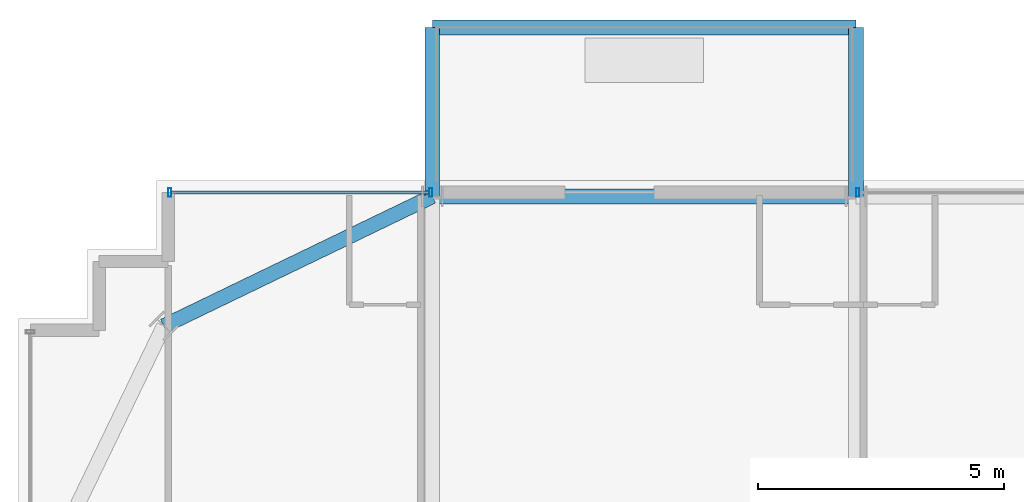
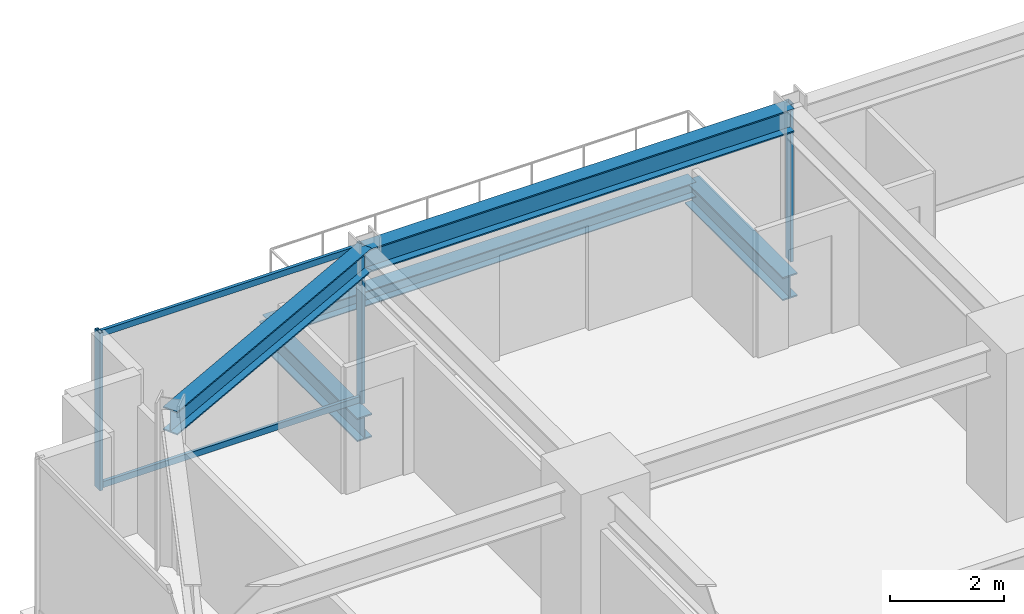
# One storey, part 22 of 35: 5 beams, 5 members, 2 elements without a shape of their own.
"""IFC4 building model written with IfcOpenShell, lengths in metres."""

from ifc_helpers import new_model, si_unit, direction, frame, origin, origin_2d, place, context, subcontext, project, spatial, hollow_rectangle, i_section, extrude, source, transform, mapped, material, material_profile, profile_set, type_object, element, aggregate, save


model = new_model("IFC4")

# Units and contexts
model_context = context("Model", 3, precision=1e-05, world=origin(), true_north=direction((0.0, 1.0)))
body_context = subcontext(model_context, "Body", "Model", "MODEL_VIEW")
ifc_project = project(units=[si_unit("LENGTHUNIT", "METRE"), si_unit("AREAUNIT", "SQUARE_METRE"), si_unit("VOLUMEUNIT", "CUBIC_METRE"), si_unit("PLANEANGLEUNIT", "RADIAN"), si_unit("MASSUNIT", "GRAM", prefix="KILO")], contexts=[model_context])

# Site, building, storey
site_placement = place(None, origin())
site = spatial("IfcSite", under=ifc_project, at=site_placement, CompositionType="ELEMENT")
building_placement = place(site_placement, origin())
building = spatial("IfcBuilding", under=site, at=building_placement, Name="Nahalor Promenade Grand Hotel", CompositionType="ELEMENT")
storey_placement = place(building_placement, frame((0.0, 0.0, 39.699951171875)))
storey = spatial("IfcBuildingStorey", under=building, at=storey_placement, Name="L08", CompositionType="ELEMENT", Elevation=39.699951171875)

# Beams
ifc_material_1 = material(Name="Steel S355JR", Category="steel")
ifc_material_profile_1 = material_profile(ifc_material_1, i_section(OverallWidth=0.3, OverallDepth=0.32, WebThickness=0.0115, FlangeThickness=0.0205, at=origin_2d()), Name="HEB 320")
ifc_profile_set_1 = profile_set([ifc_material_profile_1], Name="Steel S355JR")
beam_type_1 = type_object("IfcBeamType", Name="Beam-BalcEdge-HEB320", PredefinedType="SPANDREL", material=ifc_profile_set_1)
shared_shape_1 = source(origin(), body_context, "Body", "SweptSolid", [
    extrude(i_section(OverallWidth=0.3, OverallDepth=0.32, WebThickness=0.0115, FlangeThickness=0.0205, at=origin_2d()), origin(), (0.0, 0.0, 1.0), 8.60009765625),
])
beam_1_placement = place(storey_placement, frame((-17.0, 28.510009765625, -0.43994140625), z_axis=(1.0, 0.0, 0.0), x_axis=(0.0, 1.0, 0.0)))
element("IfcBeam", 1, at=beam_1_placement, inside=storey, type_object=beam_type_1, Name="BM-L08-BC-01-F", PredefinedType="SPANDREL", context=body_context, shape_type="MappedRepresentation", body=[
    mapped(shared_shape_1, transform((0.0, 0.0, 0.0), scale=1.0)),
])
ifc_material_profile_2 = material_profile(ifc_material_1, i_section(OverallWidth=0.3, OverallDepth=0.5, WebThickness=0.0145, FlangeThickness=0.028, at=origin_2d()), Name="HEB 500")
ifc_profile_set_2 = profile_set([ifc_material_profile_2], Name="Steel S355JR")
beam_type_2 = type_object("IfcBeamType", Name="Beam-Outrigger-HEB500", PredefinedType="BEAM", material=ifc_profile_set_2)
shared_shape_2 = source(origin(), body_context, "Body", "SweptSolid", [
    extrude(i_section(OverallWidth=0.3, OverallDepth=0.5, WebThickness=0.0145, FlangeThickness=0.028, at=origin_2d()), origin(), (0.0, 0.0, 1.0), 3.429931640625),
])
for number, where, z_axis, x_axis, name in (
    (2, (-17.0, 25.080078125, -0.530029296875), (0.0, 1.0, 0.0), (-1.0, 0.0, 0.0), "BM-L08-BC-01-1"),
    (3, (-8.39990234375, 25.080078125, -0.530029296875), (0.0, 1.0, 0.0), (-1.0, 0.0, 0.0), "BM-L08-BC-01-2"),
):
    element("IfcBeam", number, at=place(storey_placement, frame(where, z_axis=z_axis, x_axis=x_axis)), inside=storey, type_object=beam_type_2, Name=name, PredefinedType="BEAM", context=body_context, shape_type="MappedRepresentation", body=[
        mapped(shared_shape_2, transform((0.0, 0.0, 0.0), scale=1.0)),
    ])
ifc_material_profile_3 = material_profile(ifc_material_1, i_section(OverallWidth=0.3, OverallDepth=0.5, WebThickness=0.0145, FlangeThickness=0.028, at=origin_2d()), Name="HEB 500")
ifc_profile_set_3 = profile_set([ifc_material_profile_3], Name="Steel S355JR")
beam_type_3 = type_object("IfcBeamType", Name="Beam-Spandrel-HEB500", PredefinedType="SPANDREL", material=ifc_profile_set_3)
shared_shape_3 = source(origin(), body_context, "Body", "SweptSolid", [
    extrude(i_section(OverallWidth=0.3, OverallDepth=0.5, WebThickness=0.0145, FlangeThickness=0.028, at=origin_2d()), origin(), (0.0, 0.0, 1.0), 8.60009765625),
])
beam_2_placement = place(storey_placement, frame((-17.0, 25.080078125, 3.1201171875), z_axis=(1.0, 0.0, 0.0), x_axis=(0.0, 1.0, 0.0)))
element("IfcBeam", 4, at=beam_2_placement, inside=storey, type_object=beam_type_3, Name="BM-L08-SP-N-0", PredefinedType="SPANDREL", context=body_context, shape_type="MappedRepresentation", body=[
    mapped(shared_shape_3, transform((0.0, 0.0, 0.0), scale=1.0)),
])
shared_shape_4 = source(origin(), body_context, "Body", "SweptSolid", [
    extrude(i_section(OverallWidth=0.3, OverallDepth=0.5, WebThickness=0.0145, FlangeThickness=0.028, at=origin_2d()), origin(), (0.0, 0.0, 1.0), 6.051513671875),
])
beam_3_placement = place(storey_placement, frame((-17.0, 25.080078125, 3.1201171875), z_axis=(-0.900608818852, -0.434630596492, 0.0), x_axis=(0.434630596492, -0.900608818852, 0.0)))
element("IfcBeam", 5, at=beam_3_placement, inside=storey, type_object=beam_type_3, Name="BM-L08-SPC-NW-1", PredefinedType="SPANDREL", context=body_context, shape_type="MappedRepresentation", body=[
    mapped(shared_shape_4, transform((0.0, 0.0, 0.0), scale=1.0)),
])

# Curtain wall, members
ifc_material_2 = material(Name="Anodised Bronze Aluminium EN AW-6063 T6", Category="aluminium")
curtain_wall_type = type_object("IfcCurtainWallType", Name="CW2 Typical Hotel Flush Bronze Unitised Curtain Wall", PredefinedType="USERDEFINED", material=ifc_material_2)
curtain_wall_1_placement = place(storey_placement, origin())
curtain_wall_1 = element("IfcCurtainWall", 6, at=curtain_wall_1_placement, inside=storey, type_object=curtain_wall_type, Name="L08 Curtain Wall CW-L08-N-1", ObjectType="UNITISED_CURTAIN_WALL", PredefinedType="USERDEFINED")
ifc_material_profile_4 = material_profile(ifc_material_2, hollow_rectangle(XDim=0.065, YDim=0.18, WallThickness=0.004, at=origin_2d()), Name="CWM 65x180x4")
ifc_profile_set_4 = profile_set([ifc_material_profile_4], Name="Anodised Bronze Aluminium EN AW-6063 T6")
member_type_1 = type_object("IfcMemberType", Name="CWM2 Typical Bronze Mullion 65x180", PredefinedType="MULLION", material=ifc_profile_set_4)
shared_shape_5 = source(origin(), body_context, "Body", "SweptSolid", [
    extrude(hollow_rectangle(XDim=0.065, YDim=0.18, WallThickness=0.004, at=origin_2d()), origin(), (0.0, 0.0, 1.0), 3.3701171875),
])
member_1_placement = place(storey_placement, frame((-22.327392578125, 25.159912109375, 0.0), z_axis=(0.0, 0.0, 1.0), x_axis=(1.0, 0.0, 0.0)))
member_1 = element("IfcMember", 7, at=member_1_placement, type_object=member_type_1, Name="CW-L08-N-1 Mullion 0", PredefinedType="MULLION", context=body_context, shape_type="MappedRepresentation", body=[
    mapped(shared_shape_5, transform((0.0, 0.0, 0.0), scale=1.0)),
])
member_2_placement = place(storey_placement, frame((-17.032470703125, 25.159912109375, 0.0), z_axis=(0.0, 0.0, 1.0), x_axis=(1.0, 0.0, 0.0)))
member_2 = element("IfcMember", 8, at=member_2_placement, type_object=member_type_1, Name="CW-L08-N-1 Mullion 1", PredefinedType="MULLION", context=body_context, shape_type="MappedRepresentation", body=[
    mapped(shared_shape_5, transform((0.0, 0.0, 0.0), scale=1.0)),
])

# Curtain wall, member
curtain_wall_2_placement = place(storey_placement, origin())
curtain_wall_2 = element("IfcCurtainWall", 9, at=curtain_wall_2_placement, inside=storey, type_object=curtain_wall_type, Name="L08 Curtain Wall CW-L08-N-3", ObjectType="UNITISED_CURTAIN_WALL", PredefinedType="USERDEFINED")
member_3_placement = place(storey_placement, frame((-8.367431640625, 25.159912109375, 0.0), z_axis=(0.0, 0.0, 1.0), x_axis=(1.0, 0.0, 0.0)))
member_3 = element("IfcMember", 10, at=member_3_placement, type_object=member_type_1, Name="CW-L08-N-3 Mullion 0", PredefinedType="MULLION", context=body_context, shape_type="MappedRepresentation", body=[
    mapped(shared_shape_5, transform((0.0, 0.0, 0.0), scale=1.0)),
])
aggregate(curtain_wall_2, [member_3])

# Member
ifc_material_profile_5 = material_profile(ifc_material_2, hollow_rectangle(XDim=0.065, YDim=0.13, WallThickness=0.004, at=origin_2d()), Name="CWT 65x130x4")
ifc_profile_set_5 = profile_set([ifc_material_profile_5], Name="Anodised Bronze Aluminium EN AW-6063 T6")
member_type_2 = type_object("IfcMemberType", Name="CWT2 Typical Bronze Transom 65x130", PredefinedType="USERDEFINED", material=ifc_profile_set_5)
shared_shape_6 = source(origin(), body_context, "Body", "SweptSolid", [
    extrude(hollow_rectangle(XDim=0.065, YDim=0.13, WallThickness=0.004, at=origin_2d()), origin(), (0.0, 0.0, 1.0), 5.22998046875),
])
member_4_placement = place(storey_placement, frame((-22.294921875, 25.159912109375, 0.06494140625), z_axis=(1.0, 0.0, 0.0), x_axis=(0.0, 1.0, 0.0)))
member_4 = element("IfcMember", 11, at=member_4_placement, type_object=member_type_2, Name="CW-L08-N-1 Transom 0-0", ObjectType="TRANSOM", PredefinedType="USERDEFINED", context=body_context, shape_type="MappedRepresentation", body=[
    mapped(shared_shape_6, transform((0.0, 0.0, 0.0), scale=1.0)),
])

member_5_placement = place(storey_placement, frame((-22.294921875, 25.159912109375, 3.304931640625), z_axis=(1.0, 0.0, 0.0), x_axis=(0.0, 1.0, 0.0)))
member_5 = element("IfcMember", 12, at=member_5_placement, type_object=member_type_2, Name="CW-L08-N-1 Transom 0-1", ObjectType="TRANSOM", PredefinedType="USERDEFINED", context=body_context, shape_type="MappedRepresentation", body=[
    mapped(shared_shape_6, transform((0.0, 0.0, 0.0), scale=1.0)),
])

aggregate(curtain_wall_1, [member_1, member_2, member_4, member_5])

save(model, "model.ifc")
